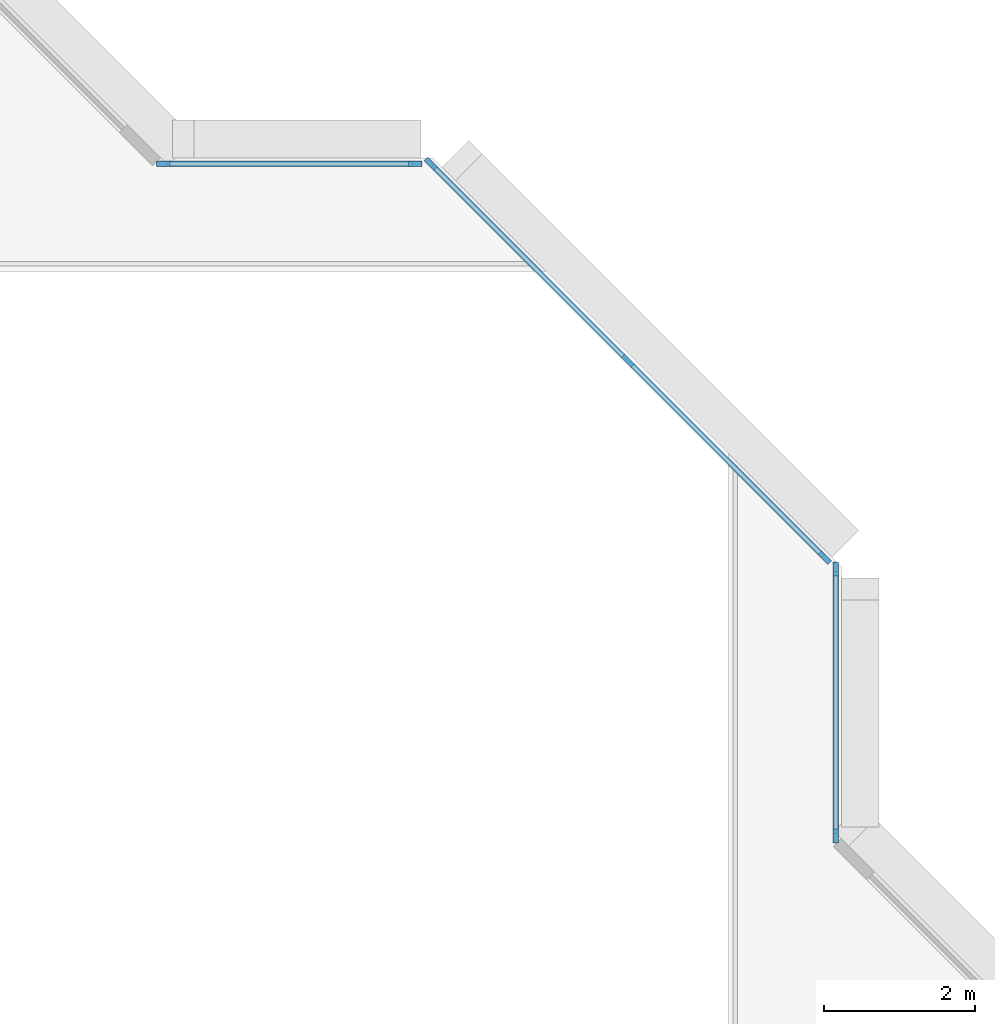
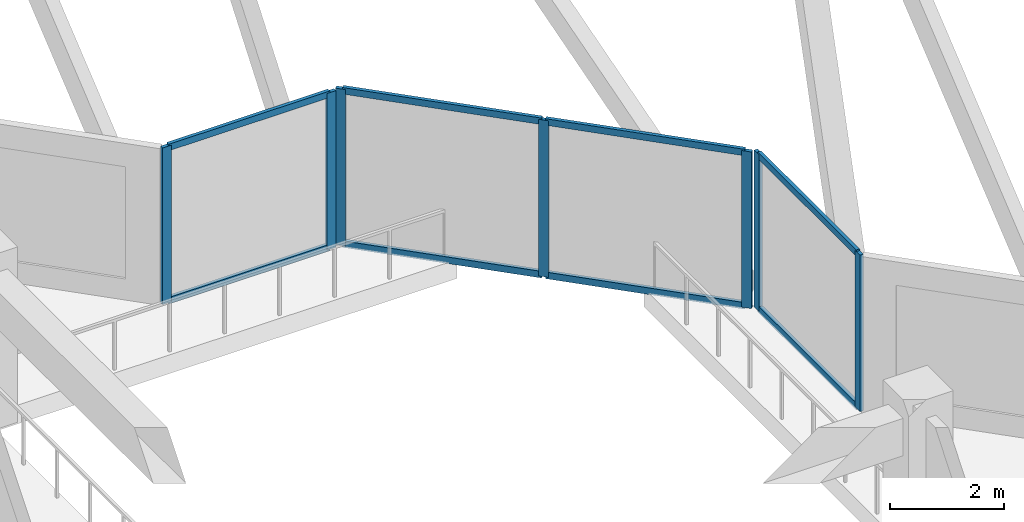
# One storey, part 2 of 15: 15 members, 3 elements without a shape of their own.
"""IFC4 building model written with IfcOpenShell, lengths in metres."""

from ifc_helpers import new_model, si_unit, direction, frame, origin, origin_2d, place, context, subcontext, project, spatial, rectangle, extrude, material, layer, layer_set, material_profile, profile_set, type_object, element, aggregate, save


model = new_model("IFC4")

# Units and contexts
model_context = context("Model", 3, precision=1e-05, world=origin(), true_north=direction((0.0, 1.0)))
body_context = subcontext(model_context, "Body", "Model", "MODEL_VIEW")
ifc_project = project(units=[si_unit("LENGTHUNIT", "METRE"), si_unit("AREAUNIT", "SQUARE_METRE"), si_unit("VOLUMEUNIT", "CUBIC_METRE"), si_unit("PLANEANGLEUNIT", "RADIAN"), si_unit("MASSUNIT", "GRAM", prefix="KILO")], contexts=[model_context])

# Site, building, storey
site_placement = place(None, origin())
site = spatial("IfcSite", under=ifc_project, at=site_placement, CompositionType="ELEMENT")
building_placement = place(site_placement, origin())
building = spatial("IfcBuilding", under=site, at=building_placement, Name="Chenar Terraces", CompositionType="ELEMENT")
storey_placement = place(building_placement, frame((0.0, 0.0, 194.89990234375)))
storey = spatial("IfcBuildingStorey", under=building, at=storey_placement, Name="L45", CompositionType="ELEMENT", Elevation=194.89990234375)

# Curtain wall, members
ifc_material_1 = material(Name="Aluminium framed glazing", Category="aluminium")
ifc_layer = layer(ifc_material_1, 0.14990234375)
ifc_layer_set = layer_set([ifc_layer], Name="Aluminium framed glazing")
curtain_wall_type = type_object("IfcCurtainWallType", Name="Atrium mid-zone curtain wall", PredefinedType="NOTDEFINED", material=ifc_layer_set)
placement = place(storey_placement, origin())
curtain_wall_1 = element("IfcCurtainWall", 1, at=placement, inside=storey, type_object=curtain_wall_type, Name="Atrium mid-zone curtain wall", PredefinedType="NOTDEFINED")
ifc_material_2 = material(Name="Aluminium", Category="aluminium")
ifc_material_profile_1 = material_profile(ifc_material_2, rectangle(XDim=0.070068359375, YDim=0.179931640625, at=origin_2d()), Name="Atrium mid-zone glazing mullion 70 x 180")
ifc_profile_set_1 = profile_set([ifc_material_profile_1], Name="Aluminium")
member_type_1 = type_object("IfcMemberType", Name="Atrium mid-zone glazing mullion 70 x 180", PredefinedType="MULLION", material=ifc_profile_set_1)
member_1_placement = place(storey_placement, frame((37.425048828125, 28.534912109375, 0.0), z_axis=(0.0, 0.0, 1.0), x_axis=(-1.0, 0.0, 0.0)))
member_1 = element("IfcMember", 2, at=member_1_placement, type_object=member_type_1, Name="CW7-1 mullion 1", PredefinedType="MULLION", context=body_context, shape_type="SweptSolid", body=[
    extrude(rectangle(XDim=0.070068359375, YDim=0.179931640625, at=origin_2d()), origin(), (0.0, 0.0, 1.0), 3.35009765625),
])
member_2_placement = place(storey_placement, frame((37.425048828125, 32.06494140625, 0.0), z_axis=(0.0, 0.0, 1.0), x_axis=(-1.0, 0.0, 0.0)))
member_2 = element("IfcMember", 3, at=member_2_placement, type_object=member_type_1, Name="CW7-1 mullion 2", PredefinedType="MULLION", context=body_context, shape_type="SweptSolid", body=[
    extrude(rectangle(XDim=0.070068359375, YDim=0.179931640625, at=origin_2d()), origin(), (0.0, 0.0, 1.0), 3.35009765625),
])

curtain_wall_2 = element("IfcCurtainWall", 4, at=placement, inside=storey, type_object=curtain_wall_type, Name="Atrium mid-zone curtain wall", PredefinedType="NOTDEFINED")
member_3_placement = place(storey_placement, frame((37.28076171875, 32.213134765625, 0.0), z_axis=(0.0, 0.0, 1.0), x_axis=(-0.707106781187, -0.707106781187, 0.0)))
member_3 = element("IfcMember", 5, at=member_3_placement, type_object=member_type_1, Name="CW7-2 mullion 1", PredefinedType="MULLION", context=body_context, shape_type="SweptSolid", body=[
    extrude(rectangle(XDim=0.070068359375, YDim=0.179931640625, at=origin_2d()), origin(), (0.0, 0.0, 1.0), 3.35009765625),
])
member_4_placement = place(storey_placement, frame((34.67626953125, 34.817626953125, 0.0), z_axis=(0.0, 0.0, 1.0), x_axis=(-0.707106781187, -0.707106781187, 0.0)))
member_4 = element("IfcMember", 6, at=member_4_placement, type_object=member_type_1, Name="CW7-2 mullion 2", PredefinedType="MULLION", context=body_context, shape_type="SweptSolid", body=[
    extrude(rectangle(XDim=0.070068359375, YDim=0.179931640625, at=origin_2d()), origin(), (0.0, 0.0, 1.0), 3.35009765625),
])
member_5_placement = place(storey_placement, frame((32.07177734375, 37.42236328125, 0.0), z_axis=(0.0, 0.0, 1.0), x_axis=(-0.707106781187, -0.707106781187, 0.0)))
member_5 = element("IfcMember", 7, at=member_5_placement, type_object=member_type_1, Name="CW7-2 mullion 3", PredefinedType="MULLION", context=body_context, shape_type="SweptSolid", body=[
    extrude(rectangle(XDim=0.070068359375, YDim=0.179931640625, at=origin_2d()), origin(), (0.0, 0.0, 1.0), 3.35009765625),
])

curtain_wall_3 = element("IfcCurtainWall", 8, at=placement, inside=storey, type_object=curtain_wall_type, Name="Atrium mid-zone curtain wall", PredefinedType="NOTDEFINED")
member_6_placement = place(storey_placement, frame((31.864990234375, 37.425048828125, 0.0), z_axis=(0.0, 0.0, 1.0), x_axis=(0.0, -1.0, 0.0)))
member_6 = element("IfcMember", 9, at=member_6_placement, type_object=member_type_1, Name="CW7-3 mullion 1", PredefinedType="MULLION", context=body_context, shape_type="SweptSolid", body=[
    extrude(rectangle(XDim=0.070068359375, YDim=0.179931640625, at=origin_2d()), origin(), (0.0, 0.0, 1.0), 3.35009765625),
])
member_7_placement = place(storey_placement, frame((28.534912109375, 37.425048828125, 0.0), z_axis=(0.0, 0.0, 1.0), x_axis=(0.0, -1.0, 0.0)))
member_7 = element("IfcMember", 10, at=member_7_placement, type_object=member_type_1, Name="CW7-3 mullion 2", PredefinedType="MULLION", context=body_context, shape_type="SweptSolid", body=[
    extrude(rectangle(XDim=0.070068359375, YDim=0.179931640625, at=origin_2d()), origin(), (0.0, 0.0, 1.0), 3.35009765625),
])

# Member
ifc_material_3 = material(Name="Aluminium", Category="aluminium")
ifc_material_profile_2 = material_profile(ifc_material_3, rectangle(XDim=0.070068359375, YDim=0.139892578125, at=origin_2d()), Name="Atrium mid-zone glazing transom 70 x 140")
ifc_profile_set_2 = profile_set([ifc_material_profile_2], Name="Aluminium")
member_type_2 = type_object("IfcMemberType", Name="Atrium mid-zone glazing transom 70 x 140", PredefinedType="USERDEFINED", material=ifc_profile_set_2)
member_8_placement = place(storey_placement, frame((37.425048828125, 28.570068359375, 0.03515625), z_axis=(0.0, 1.0, 0.0), x_axis=(-1.0, 0.0, 0.0)))
member_8 = element("IfcMember", 11, at=member_8_placement, type_object=member_type_2, Name="CW7-1 transom 1.1", ObjectType="TRANSOM", PredefinedType="USERDEFINED", context=body_context, shape_type="SweptSolid", body=[
    extrude(rectangle(XDim=0.070068359375, YDim=0.139892578125, at=origin_2d()), origin(), (0.0, 0.0, 1.0), 3.4599609375),
])

member_9_placement = place(storey_placement, frame((37.425048828125, 28.570068359375, 3.315185546875), z_axis=(0.0, 1.0, 0.0), x_axis=(-1.0, 0.0, 0.0)))
member_9 = element("IfcMember", 12, at=member_9_placement, type_object=member_type_2, Name="CW7-1 transom 1.2", ObjectType="TRANSOM", PredefinedType="USERDEFINED", context=body_context, shape_type="SweptSolid", body=[
    extrude(rectangle(XDim=0.070068359375, YDim=0.139892578125, at=origin_2d()), origin(), (0.0, 0.0, 1.0), 3.4599609375),
])

aggregate(curtain_wall_1, [member_1, member_2, member_8, member_9])

member_10_placement = place(storey_placement, frame((37.256103515625, 32.23779296875, 0.03515625), z_axis=(-0.707106781187, 0.707106781187, 0.0), x_axis=(-0.707106781187, -0.707106781187, 0.0)))
member_10 = element("IfcMember", 13, at=member_10_placement, type_object=member_type_2, Name="CW7-2 transom 1.1", ObjectType="TRANSOM", PredefinedType="USERDEFINED", context=body_context, shape_type="SweptSolid", body=[
    extrude(rectangle(XDim=0.070068359375, YDim=0.139892578125, at=origin_2d()), origin(), (0.0, 0.0, 1.0), 3.613525390625),
])

member_11_placement = place(storey_placement, frame((37.256103515625, 32.23779296875, 3.315185546875), z_axis=(-0.707106781187, 0.707106781187, 0.0), x_axis=(-0.707106781187, -0.707106781187, 0.0)))
member_11 = element("IfcMember", 14, at=member_11_placement, type_object=member_type_2, Name="CW7-2 transom 1.2", ObjectType="TRANSOM", PredefinedType="USERDEFINED", context=body_context, shape_type="SweptSolid", body=[
    extrude(rectangle(XDim=0.070068359375, YDim=0.139892578125, at=origin_2d()), origin(), (0.0, 0.0, 1.0), 3.613525390625),
])

member_12_placement = place(storey_placement, frame((34.651611328125, 34.842529296875, 0.03515625), z_axis=(-0.707140563131, 0.707072997628, 0.0), x_axis=(-0.707072997628, -0.707140563131, 0.0)))
member_12 = element("IfcMember", 15, at=member_12_placement, type_object=member_type_2, Name="CW7-2 transom 2.1", ObjectType="TRANSOM", PredefinedType="USERDEFINED", context=body_context, shape_type="SweptSolid", body=[
    extrude(rectangle(XDim=0.070068359375, YDim=0.139892578125, at=origin_2d()), origin(), (0.0, 0.0, 1.0), 3.61328125),
])

member_13_placement = place(storey_placement, frame((34.651611328125, 34.842529296875, 3.315185546875), z_axis=(-0.707140563131, 0.707072997628, 0.0), x_axis=(-0.707072997628, -0.707140563131, 0.0)))
member_13 = element("IfcMember", 16, at=member_13_placement, type_object=member_type_2, Name="CW7-2 transom 2.2", ObjectType="TRANSOM", PredefinedType="USERDEFINED", context=body_context, shape_type="SweptSolid", body=[
    extrude(rectangle(XDim=0.070068359375, YDim=0.139892578125, at=origin_2d()), origin(), (0.0, 0.0, 1.0), 3.61328125),
])

aggregate(curtain_wall_2, [member_3, member_4, member_5, member_10, member_11, member_12, member_13])

member_14_placement = place(storey_placement, frame((31.830078125, 37.425048828125, 0.03515625), z_axis=(-1.0, 0.0, 0.0), x_axis=(0.0, -1.0, 0.0)))
member_14 = element("IfcMember", 17, at=member_14_placement, type_object=member_type_2, Name="CW7-3 transom 1.1", ObjectType="TRANSOM", PredefinedType="USERDEFINED", context=body_context, shape_type="SweptSolid", body=[
    extrude(rectangle(XDim=0.070068359375, YDim=0.139892578125, at=origin_2d()), origin(), (0.0, 0.0, 1.0), 3.260009765625),
])

member_15_placement = place(storey_placement, frame((31.830078125, 37.425048828125, 3.315185546875), z_axis=(-1.0, 0.0, 0.0), x_axis=(0.0, -1.0, 0.0)))
member_15 = element("IfcMember", 18, at=member_15_placement, type_object=member_type_2, Name="CW7-3 transom 1.2", ObjectType="TRANSOM", PredefinedType="USERDEFINED", context=body_context, shape_type="SweptSolid", body=[
    extrude(rectangle(XDim=0.070068359375, YDim=0.139892578125, at=origin_2d()), origin(), (0.0, 0.0, 1.0), 3.260009765625),
])

aggregate(curtain_wall_3, [member_6, member_7, member_14, member_15])

save(model, "model.ifc")
